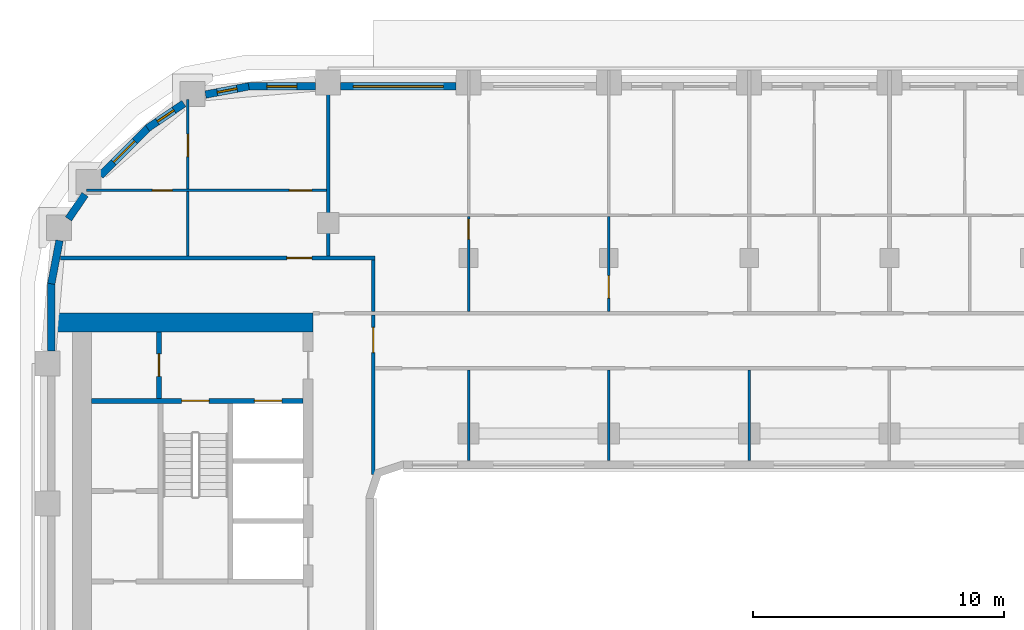
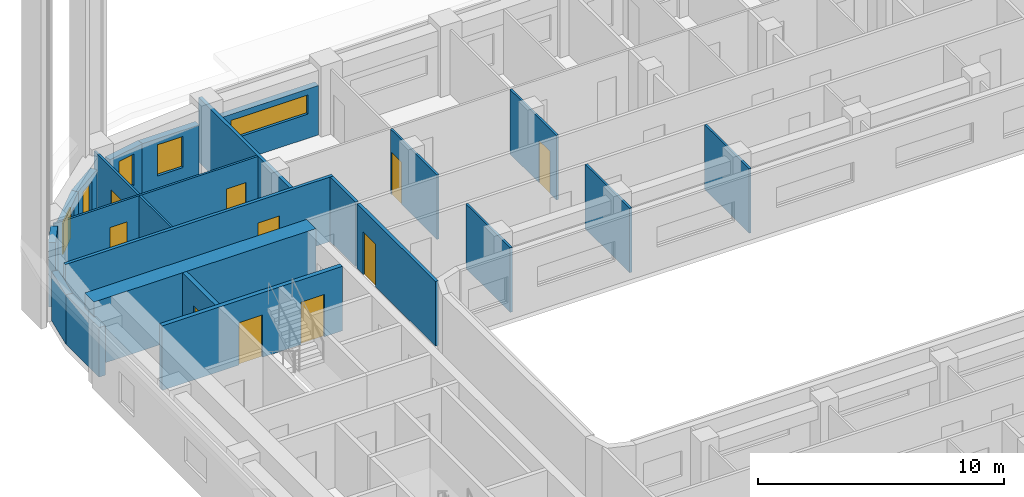
# One storey, part 7 of 22: 23 walls, 10 doors, 5 windows, 15 openings.
"""IFC4 building model written with IfcOpenShell, lengths in metres."""

from ifc_helpers import new_model, si_unit, direction, frame, frame_2d, origin, place, context, subcontext, project, spatial, rectangle, extrude, material, layer, layer_set, type_object, element, fill, save


model = new_model("IFC4")

# Units and contexts
model_context = context("Model", 3, precision=1e-05, world=origin(), true_north=direction((0.0, 1.0)))
body_context = subcontext(model_context, "Body", "Model", "MODEL_VIEW")
ifc_project = project(units=[si_unit("LENGTHUNIT", "METRE"), si_unit("AREAUNIT", "SQUARE_METRE"), si_unit("VOLUMEUNIT", "CUBIC_METRE"), si_unit("PLANEANGLEUNIT", "RADIAN"), si_unit("MASSUNIT", "GRAM", prefix="KILO")], contexts=[model_context])

# Site, building, storey
site_placement = place(None, origin())
site = spatial("IfcSite", under=ifc_project, at=site_placement, CompositionType="ELEMENT")
building_placement = place(site_placement, origin())
building = spatial("IfcBuilding", under=site, at=building_placement, Name="Kiln Ring Residences", CompositionType="ELEMENT")
storey_placement = place(building_placement, frame((0.0, 0.0, 160.60009765625)))
storey = spatial("IfcBuildingStorey", under=building, at=storey_placement, Name="L41", CompositionType="ELEMENT", Elevation=160.60009765625)

# Wall, opening, door
ifc_material_1 = material(Name="Gypsum board on steel studs", Category="steel")
ifc_layer_1 = layer(ifc_material_1, 0.199951171875)
ifc_layer_set_1 = layer_set([ifc_layer_1], Name="CORE-PARTITION-200")
wall_type_1 = type_object("IfcWallType", Name="CORE-PARTITION-200", PredefinedType="PARTITIONING", material=ifc_layer_set_1)
wall_1_placement = place(storey_placement, frame((-23.550048828125, 9.800048828125, 0.0), z_axis=(0.0, 0.0, 1.0), x_axis=(0.0, 1.0, 0.0)))
wall_1 = element("IfcWall", 1, at=wall_1_placement, inside=storey, type_object=wall_type_1, Name="Core partition west L41 4", PredefinedType="PARTITIONING", context=body_context, shape_type="SweptSolid", body=[
    extrude(rectangle(XDim=2.64990234375, YDim=0.199951171875, at=frame_2d((1.324951171875, 0.0))), origin(), (0.0, 0.0, 1.0), 3.199951171875),
])
opening_1_placement = place(wall_1_placement, frame((0.875, 0.0, 0.0)))
opening_1 = element("IfcOpeningElement", 2, at=opening_1_placement, cuts=wall_1, Name="Opening L41-CW09", PredefinedType="OPENING", context=body_context, shape_type="SweptSolid", body=[
    extrude(rectangle(XDim=0.89990234375, YDim=2.10009765625, at=frame_2d((0.449951171875, 1.050048828125))), frame((0.0, 0.10986328125, 0.0), z_axis=(0.0, -1.0, 0.0), x_axis=(1.0, 0.0, 0.0)), (0.0, 0.0, 1.0), 0.219970703125),
])
ifc_material_2 = material(Name="Steel door leaf", Category="steel")
door_type_1 = type_object("IfcDoorType", Name="CORE-DOOR-ROOM", OperationType="SINGLE_SWING_LEFT", PredefinedType="DOOR", material=ifc_material_2)
door_1_placement = place(opening_1_placement, origin())
door_1 = element("IfcDoor", 3, at=door_1_placement, inside=storey, type_object=door_type_1, Name="Fire riser room L41-CW09", OperationType="SINGLE_SWING_LEFT", OverallHeight=2.10009765625, OverallWidth=0.89990234375, PredefinedType="DOOR", context=body_context, shape_type="SweptSolid", body=[
    extrude(rectangle(XDim=0.89990234375, YDim=2.10009765625, at=frame_2d((0.449951171875, 1.050048828125))), frame((0.0, 0.02490234375, 0.0), z_axis=(0.0, -1.0, 0.0), x_axis=(1.0, 0.0, 0.0)), (0.0, 0.0, 1.0), 0.050048828125),
])
fill(opening_1, door_1)

# Wall, openings, doors
ifc_material_3 = material(Name="Concrete C40/50", Category="concrete")
ifc_layer_2 = layer(ifc_material_3, 0.199951171875)
ifc_layer_set_2 = layer_set([ifc_layer_2], Name="CORE-WALL-RC200")
wall_type_2 = type_object("IfcWallType", Name="CORE-WALL-RC200", PredefinedType="SHEAR", material=ifc_layer_set_2)
wall_2_placement = place(storey_placement, frame((-17.800048828125, 9.699951171875, 0.0), z_axis=(0.0, 0.0, 1.0), x_axis=(-1.0, 0.0, 0.0)))
wall_2 = element("IfcWall", 4, at=wall_2_placement, inside=storey, type_object=wall_type_2, Name="Core wall west L41 9", PredefinedType="SHEAR", context=body_context, shape_type="SweptSolid", body=[
    extrude(rectangle(XDim=8.449951171875, YDim=0.199951171875, at=frame_2d((4.22509765625, 0.0))), origin(), (0.0, 0.0, 1.0), 3.199951171875),
])
opening_2_placement = place(wall_2_placement, frame((0.85009765625, 0.0, 0.0)))
opening_2 = element("IfcOpeningElement", 5, at=opening_2_placement, cuts=wall_2, Name="Opening L41-CW06", PredefinedType="OPENING", context=body_context, shape_type="SweptSolid", body=[
    extrude(rectangle(XDim=1.10009765625, YDim=2.10009765625, at=frame_2d((0.550048828125, 1.050048828125))), frame((0.0, 0.10986328125, 0.0), z_axis=(0.0, -1.0, 0.0), x_axis=(1.0, 0.0, 0.0)), (0.0, 0.0, 1.0), 0.219970703125),
])
opening_3_placement = place(wall_2_placement, frame((3.75, 0.0, 0.0)))
opening_3 = element("IfcOpeningElement", 6, at=opening_3_placement, cuts=wall_2, Name="Opening L41-CW11", PredefinedType="OPENING", context=body_context, shape_type="SweptSolid", body=[
    extrude(rectangle(XDim=1.10009765625, YDim=2.10009765625, at=frame_2d((0.550048828125, 1.050048828125))), frame((0.0, 0.10986328125, 0.0), z_axis=(0.0, -1.0, 0.0), x_axis=(1.0, 0.0, 0.0)), (0.0, 0.0, 1.0), 0.219970703125),
])
ifc_material_4 = material(Name="Steel door leaf", Category="steel")
door_type_2 = type_object("IfcDoorType", Name="CORE-DOOR-LD", OperationType="DOUBLE_DOOR_SLIDING", PredefinedType="DOOR", material=ifc_material_4)
door_2_placement = place(opening_2_placement, origin())
door_2 = element("IfcDoor", 7, at=door_2_placement, inside=storey, type_object=door_type_2, Name="LD W-FF L41-CW06", OperationType="DOUBLE_DOOR_SLIDING", OverallHeight=2.10009765625, OverallWidth=1.10009765625, PredefinedType="DOOR", context=body_context, shape_type="SweptSolid", body=[
    extrude(rectangle(XDim=1.10009765625, YDim=2.10009765625, at=frame_2d((0.550048828125, 1.050048828125))), frame((0.0, 0.02490234375, 0.0), z_axis=(0.0, -1.0, 0.0), x_axis=(1.0, 0.0, 0.0)), (0.0, 0.0, 1.0), 0.050048828125),
])
fill(opening_2, door_2)
ifc_material_5 = material(Name="Steel door leaf", Category="steel")
door_type_3 = type_object("IfcDoorType", Name="CORE-DOOR-STAIR", OperationType="SINGLE_SWING_LEFT", PredefinedType="DOOR", material=ifc_material_5)
door_3_placement = place(opening_3_placement, origin())
door_3 = element("IfcDoor", 8, at=door_3_placement, inside=storey, type_object=door_type_3, Name="Stair W-STN L41-CW11", OperationType="SINGLE_SWING_LEFT", OverallHeight=2.10009765625, OverallWidth=1.10009765625, PredefinedType="DOOR", context=body_context, shape_type="SweptSolid", body=[
    extrude(rectangle(XDim=1.10009765625, YDim=2.10009765625, at=frame_2d((0.550048828125, 1.050048828125))), frame((0.0, 0.02490234375, 0.0), z_axis=(0.0, -1.0, 0.0), x_axis=(1.0, 0.0, 0.0)), (0.0, 0.0, 1.0), 0.050048828125),
])
fill(opening_3, door_3)

# Wall
ifc_material_6 = material(Name="Concrete C60/75", Category="concrete")
ifc_layer_3 = layer(ifc_material_6, 0.75)
ifc_layer_set_3 = layer_set([ifc_layer_3], Name="CORE-WALL-RC750")
wall_type_3 = type_object("IfcWallType", Name="CORE-WALL-RC750", PredefinedType="SHEAR", material=ifc_layer_set_3)
wall_3_placement = place(storey_placement, frame((-17.39990234375, 12.824951171875, 0.0), z_axis=(0.0, 0.0, 1.0), x_axis=(-1.0, 0.0, 0.0)))
element("IfcWall", 9, at=wall_3_placement, inside=storey, type_object=wall_type_3, Name="Core wall west L41 4", PredefinedType="SHEAR", context=body_context, shape_type="SweptSolid", body=[
    extrude(rectangle(XDim=10.400146484375, YDim=0.75, at=frame_2d((5.2001953125, 0.0))), origin(), (0.0, 0.0, 1.0), 3.199951171875),
])

# Wall, opening, window
ifc_material_7 = material(Name="Brick masonry, dark clay brick", Category="masonry")
ifc_layer_4 = layer(ifc_material_7, 0.300048828125)
ifc_layer_set_4 = layer_set([ifc_layer_4], Name="EW-300 BRICK WALL")
wall_type_4 = type_object("IfcWallType", Name="EW-300 BRICK WALL", PredefinedType="SOLIDWALL", material=ifc_layer_set_4)
wall_4_placement = place(storey_placement, frame((-11.699951171875, 22.25, 0.0), z_axis=(0.0, 0.0, 1.0), x_axis=(-1.0, 0.0, 0.0)))
wall_4 = element("IfcWall", 10, at=wall_4_placement, inside=storey, type_object=wall_type_4, Name="Facade wall L41 34", PredefinedType="SOLIDWALL", context=body_context, shape_type="SweptSolid", body=[
    extrude(rectangle(XDim=4.60009765625, YDim=0.300048828125, at=frame_2d((2.300048828125, 0.0))), origin(), (0.0, 0.0, 1.0), 2.449951171875),
])
opening_4_placement = place(wall_4_placement, frame((0.5, 0.0, 1.199951171875)))
opening_4 = element("IfcOpeningElement", 11, at=opening_4_placement, cuts=wall_4, Name="Opening W4", PredefinedType="OPENING", context=body_context, shape_type="SweptSolid", body=[
    extrude(rectangle(XDim=3.60009765625, YDim=0.949951171875, at=frame_2d((1.800048828125, 0.47509765625))), frame((0.0, 0.159912109375, 0.0), z_axis=(0.0, -1.0, 0.0), x_axis=(1.0, 0.0, 0.0)), (0.0, 0.0, 1.0), 0.320068359375),
])
ifc_material_8 = material(Name="Aluminium frame with double glazing", Category="aluminium")
window_type_1 = type_object("IfcWindowType", Name="WINDOW 3600 x 950", PartitioningType="SINGLE_PANEL", PredefinedType="WINDOW", material=ifc_material_8)
window_1_placement = place(opening_4_placement, origin())
window_1 = element("IfcWindow", 12, at=window_1_placement, inside=storey, type_object=window_type_1, Name="Window L41 27", OverallHeight=0.949951171875, OverallWidth=3.60009765625, PartitioningType="SINGLE_PANEL", PredefinedType="WINDOW", context=body_context, shape_type="SweptSolid", body=[
    extrude(rectangle(XDim=3.60009765625, YDim=0.949951171875, at=frame_2d((1.800048828125, 0.47509765625))), frame((0.0, 0.030029296875, 0.0), z_axis=(0.0, -1.0, 0.0), x_axis=(1.0, 0.0, 0.0)), (0.0, 0.0, 1.0), 0.06005859375),
])
fill(opening_4, window_1)

wall_5_placement = place(storey_placement, frame((-17.300048828125, 22.25, 0.0), z_axis=(0.0, 0.0, 1.0), x_axis=(-1.0, 0.0, 0.0)))
wall_5 = element("IfcWall", 13, at=wall_5_placement, inside=storey, type_object=wall_type_4, Name="Facade wall L41 35", PredefinedType="SOLIDWALL", context=body_context, shape_type="SweptSolid", body=[
    extrude(rectangle(XDim=2.699951171875, YDim=0.300048828125, at=frame_2d((1.35009765625, 0.0))), origin(), (0.0, 0.0, 1.0), 2.449951171875),
])
opening_5_placement = place(wall_5_placement, frame((0.75, 0.0, 0.60009765625)))
opening_5 = element("IfcOpeningElement", 14, at=opening_5_placement, cuts=wall_5, Name="Opening W1", PredefinedType="OPENING", context=body_context, shape_type="SweptSolid", body=[
    extrude(rectangle(XDim=1.199951171875, YDim=1.550048828125, at=frame_2d((0.60009765625, 0.77490234375))), frame((0.0, 0.159912109375, 0.0), z_axis=(0.0, -1.0, 0.0), x_axis=(1.0, 0.0, 0.0)), (0.0, 0.0, 1.0), 0.320068359375),
])
ifc_material_9 = material(Name="Aluminium frame with double glazing", Category="aluminium")
window_type_2 = type_object("IfcWindowType", Name="WINDOW 1200 x 1550", PartitioningType="SINGLE_PANEL", PredefinedType="WINDOW", material=ifc_material_9)
window_2_placement = place(opening_5_placement, origin())
window_2 = element("IfcWindow", 15, at=window_2_placement, inside=storey, type_object=window_type_2, Name="Window L41 28", OverallHeight=1.550048828125, OverallWidth=1.199951171875, PartitioningType="SINGLE_PANEL", PredefinedType="WINDOW", context=body_context, shape_type="SweptSolid", body=[
    extrude(rectangle(XDim=1.199951171875, YDim=1.550048828125, at=frame_2d((0.60009765625, 0.77490234375))), frame((0.0, 0.030029296875, 0.0), z_axis=(0.0, -1.0, 0.0), x_axis=(1.0, 0.0, 0.0)), (0.0, 0.0, 1.0), 0.06005859375),
])
fill(opening_5, window_2)

wall_6_placement = place(storey_placement, frame((-19.971923828125, 22.252685546875, 0.0), z_axis=(0.0, 0.0, 1.0), x_axis=(-0.982284988433, -0.187393173565, 0.0)))
wall_6 = element("IfcWall", 16, at=wall_6_placement, inside=storey, type_object=wall_type_4, Name="Facade wall L41 36", PredefinedType="SOLIDWALL", context=body_context, shape_type="SweptSolid", body=[
    extrude(rectangle(XDim=1.756103515625, YDim=0.300048828125, at=frame_2d((0.8779296875, 0.0))), origin(), (0.0, 0.0, 1.0), 2.449951171875),
])
opening_6_placement = place(wall_6_placement, frame((0.47802734375, 0.0, 0.60009765625)))
opening_6 = element("IfcOpeningElement", 17, at=opening_6_placement, cuts=wall_6, Name="Opening W5", PredefinedType="OPENING", context=body_context, shape_type="SweptSolid", body=[
    extrude(rectangle(XDim=0.800048828125, YDim=1.550048828125, at=frame_2d((0.39990234375, 0.77490234375))), frame((0.0, 0.159912109375, 0.0), z_axis=(0.0, -1.0, 0.0), x_axis=(1.0, 0.0, 0.0)), (0.0, 0.0, 1.0), 0.320068359375),
])
ifc_material_10 = material(Name="Aluminium frame with double glazing", Category="aluminium")
window_type_3 = type_object("IfcWindowType", Name="WINDOW 800 x 1550", PartitioningType="SINGLE_PANEL", PredefinedType="WINDOW", material=ifc_material_10)
window_3_placement = place(opening_6_placement, origin())
window_3 = element("IfcWindow", 18, at=window_3_placement, inside=storey, type_object=window_type_3, Name="Window L41 29", OverallHeight=1.550048828125, OverallWidth=0.800048828125, PartitioningType="SINGLE_PANEL", PredefinedType="WINDOW", context=body_context, shape_type="SweptSolid", body=[
    extrude(rectangle(XDim=0.800048828125, YDim=1.550048828125, at=frame_2d((0.39990234375, 0.77490234375))), frame((0.0, 0.030029296875, 0.0), z_axis=(0.0, -1.0, 0.0), x_axis=(1.0, 0.0, 0.0)), (0.0, 0.0, 1.0), 0.06005859375),
])
fill(opening_6, window_3)

wall_7_placement = place(storey_placement, frame((-22.560302734375, 21.56591796875, 0.0), z_axis=(0.0, 0.0, 1.0), x_axis=(-0.82707645233, -0.562089443061, 0.0)))
wall_7 = element("IfcWall", 19, at=wall_7_placement, inside=storey, type_object=wall_type_4, Name="Facade wall L41 37", PredefinedType="SOLIDWALL", context=body_context, shape_type="SweptSolid", body=[
    extrude(rectangle(XDim=1.756103515625, YDim=0.300048828125, at=frame_2d((0.8779296875, 0.0))), origin(), (0.0, 0.0, 1.0), 2.449951171875),
])
opening_7_placement = place(wall_7_placement, frame((0.47802734375, 0.0, 0.60009765625)))
opening_7 = element("IfcOpeningElement", 20, at=opening_7_placement, cuts=wall_7, Name="Opening W5", PredefinedType="OPENING", context=body_context, shape_type="SweptSolid", body=[
    extrude(rectangle(XDim=0.800048828125, YDim=1.550048828125, at=frame_2d((0.39990234375, 0.77490234375))), frame((0.0, 0.159912109375, 0.0), z_axis=(0.0, -1.0, 0.0), x_axis=(1.0, 0.0, 0.0)), (0.0, 0.0, 1.0), 0.320068359375),
])
window_4_placement = place(opening_7_placement, origin())
window_4 = element("IfcWindow", 21, at=window_4_placement, inside=storey, type_object=window_type_3, Name="Window L41 30", OverallHeight=1.550048828125, OverallWidth=0.800048828125, PartitioningType="SINGLE_PANEL", PredefinedType="WINDOW", context=body_context, shape_type="SweptSolid", body=[
    extrude(rectangle(XDim=0.800048828125, YDim=1.550048828125, at=frame_2d((0.39990234375, 0.77490234375))), frame((0.0, 0.030029296875, 0.0), z_axis=(0.0, -1.0, 0.0), x_axis=(1.0, 0.0, 0.0)), (0.0, 0.0, 1.0), 0.06005859375),
])
fill(opening_7, window_4)

wall_8_placement = place(storey_placement, frame((-23.990966796875, 20.596923828125, 0.0), z_axis=(0.0, 0.0, 1.0), x_axis=(-0.707106781187, -0.707106781187, 0.0)))
wall_8 = element("IfcWall", 22, at=wall_8_placement, inside=storey, type_object=wall_type_4, Name="Facade wall L41 38", PredefinedType="SOLIDWALL", context=body_context, shape_type="SweptSolid", body=[
    extrude(rectangle(XDim=2.699951171875, YDim=0.300048828125, at=frame_2d((1.35009765625, 0.0))), origin(), (0.0, 0.0, 1.0), 2.449951171875),
])
opening_8_placement = place(wall_8_placement, frame((0.75, 0.0, 0.60009765625)))
opening_8 = element("IfcOpeningElement", 23, at=opening_8_placement, cuts=wall_8, Name="Opening W1", PredefinedType="OPENING", context=body_context, shape_type="SweptSolid", body=[
    extrude(rectangle(XDim=1.199951171875, YDim=1.550048828125, at=frame_2d((0.60009765625, 0.77490234375))), frame((0.0, 0.159912109375, 0.0), z_axis=(0.0, -1.0, 0.0), x_axis=(1.0, 0.0, 0.0)), (0.0, 0.0, 1.0), 0.320068359375),
])
window_5_placement = place(opening_8_placement, origin())
window_5 = element("IfcWindow", 24, at=window_5_placement, inside=storey, type_object=window_type_2, Name="Window L41 31", OverallHeight=1.550048828125, OverallWidth=1.199951171875, PartitioningType="SINGLE_PANEL", PredefinedType="WINDOW", context=body_context, shape_type="SweptSolid", body=[
    extrude(rectangle(XDim=1.199951171875, YDim=1.550048828125, at=frame_2d((0.60009765625, 0.77490234375))), frame((0.0, 0.030029296875, 0.0), z_axis=(0.0, -1.0, 0.0), x_axis=(1.0, 0.0, 0.0)), (0.0, 0.0, 1.0), 0.06005859375),
])
fill(opening_8, window_5)

# Walls
wall_9_placement = place(storey_placement, frame((-26.50439453125, 17.933837890625, 0.0), z_axis=(0.0, 0.0, 1.0), x_axis=(-0.562145470373, -0.827038372833, 0.0)))
element("IfcWall", 25, at=wall_9_placement, inside=storey, type_object=wall_type_4, Name="Facade wall L41 39", PredefinedType="SOLIDWALL", context=body_context, shape_type="SweptSolid", body=[
    extrude(rectangle(XDim=1.177001953125, YDim=0.300048828125, at=frame_2d((0.58837890625, 0.0))), origin(), (0.0, 0.0, 1.0), 3.199951171875),
])
wall_10_placement = place(storey_placement, frame((-27.523681640625, 16.096923828125, 0.0), z_axis=(0.0, 0.0, 1.0), x_axis=(-0.187259034321, -0.982310569049, 0.0)))
element("IfcWall", 26, at=wall_10_placement, inside=storey, type_object=wall_type_4, Name="Facade wall L41 40", PredefinedType="SOLIDWALL", context=body_context, shape_type="SweptSolid", body=[
    extrude(rectangle(XDim=1.756103515625, YDim=0.300048828125, at=frame_2d((0.8779296875, 0.0))), origin(), (0.0, 0.0, 1.0), 2.449951171875),
])
wall_11_placement = place(storey_placement, frame((-27.85009765625, 14.39990234375, 0.0), z_axis=(0.0, 0.0, 1.0), x_axis=(0.0, -1.0, 0.0)))
element("IfcWall", 27, at=wall_11_placement, inside=storey, type_object=wall_type_4, Name="Facade wall L41 41", PredefinedType="SOLIDWALL", context=body_context, shape_type="SweptSolid", body=[
    extrude(rectangle(XDim=2.699951171875, YDim=0.300048828125, at=frame_2d((1.35009765625, 0.0))), origin(), (0.0, 0.0, 1.0), 2.449951171875),
])

# Wall, openings, doors
ifc_material_11 = material(Name="Gypsum board on steel studs", Category="steel")
ifc_layer_5 = layer(ifc_material_11, 0.10009765625)
ifc_layer_set_5 = layer_set([ifc_layer_5], Name="PARTITION-100")
wall_type_5 = type_object("IfcWallType", Name="PARTITION-100", PredefinedType="PARTITIONING", material=ifc_layer_set_5)
wall_12_placement = place(storey_placement, frame((-26.43994140625, 18.10009765625, 0.0), z_axis=(0.0, 0.0, 1.0), x_axis=(1.0, 0.0, 0.0)))
wall_12 = element("IfcWall", 28, at=wall_12_placement, inside=storey, type_object=wall_type_5, Name="Partition 012", PredefinedType="PARTITIONING", context=body_context, shape_type="SweptSolid", body=[
    extrude(rectangle(XDim=9.56494140625, YDim=0.10009765625, at=frame_2d((4.782470703125, 0.0))), origin(), (0.0, 0.0, 1.0), 3.199951171875),
])
opening_9_placement = place(wall_12_placement, frame((2.6259765625, 0.0, 0.0)))
opening_9 = element("IfcOpeningElement", 29, at=opening_9_placement, cuts=wall_12, Name="Opening L41-D038", PredefinedType="OPENING", context=body_context, shape_type="SweptSolid", body=[
    extrude(rectangle(XDim=0.800048828125, YDim=2.10009765625, at=frame_2d((0.39990234375, 1.050048828125))), frame((0.0, 0.06005859375, 0.0), z_axis=(0.0, -1.0, 0.0), x_axis=(1.0, 0.0, 0.0)), (0.0, 0.0, 1.0), 0.1201171875),
])
opening_10_placement = place(wall_12_placement, frame((8.090087890625, 0.0, 0.0)))
opening_10 = element("IfcOpeningElement", 30, at=opening_10_placement, cuts=wall_12, Name="Opening L41-D039", PredefinedType="OPENING", context=body_context, shape_type="SweptSolid", body=[
    extrude(rectangle(XDim=0.89990234375, YDim=2.10009765625, at=frame_2d((0.449951171875, 1.050048828125))), frame((0.0, 0.06005859375, 0.0), z_axis=(0.0, -1.0, 0.0), x_axis=(1.0, 0.0, 0.0)), (0.0, 0.0, 1.0), 0.1201171875),
])
ifc_material_12 = material(Name="Timber door leaf", Category="wood")
door_type_4 = type_object("IfcDoorType", Name="FLAT-DOOR-800-PL", OperationType="SINGLE_SWING_LEFT", PredefinedType="DOOR", material=ifc_material_12)
door_4_placement = place(opening_9_placement, origin())
door_4 = element("IfcDoor", 31, at=door_4_placement, inside=storey, type_object=door_type_4, Name="Door L41-D038", OperationType="SINGLE_SWING_RIGHT", OverallHeight=2.10009765625, OverallWidth=0.800048828125, PredefinedType="DOOR", context=body_context, shape_type="SweptSolid", body=[
    extrude(rectangle(XDim=0.800048828125, YDim=2.10009765625, at=frame_2d((0.39990234375, 1.050048828125))), frame((0.0, 0.02490234375, 0.0), z_axis=(0.0, -1.0, 0.0), x_axis=(1.0, 0.0, 0.0)), (0.0, 0.0, 1.0), 0.050048828125),
])
fill(opening_9, door_4)
ifc_material_13 = material(Name="Timber door leaf", Category="wood")
door_type_5 = type_object("IfcDoorType", Name="FLAT-DOOR-900-PL", OperationType="SINGLE_SWING_LEFT", PredefinedType="DOOR", material=ifc_material_13)
door_5_placement = place(opening_10_placement, origin())
door_5 = element("IfcDoor", 32, at=door_5_placement, inside=storey, type_object=door_type_5, Name="Door L41-D039", OperationType="SINGLE_SWING_LEFT", OverallHeight=2.10009765625, OverallWidth=0.89990234375, PredefinedType="DOOR", context=body_context, shape_type="SweptSolid", body=[
    extrude(rectangle(XDim=0.89990234375, YDim=2.10009765625, at=frame_2d((0.449951171875, 1.050048828125))), frame((0.0, 0.02490234375, 0.0), z_axis=(0.0, -1.0, 0.0), x_axis=(1.0, 0.0, 0.0)), (0.0, 0.0, 1.0), 0.050048828125),
])
fill(opening_10, door_5)

# Wall
wall_13_placement = place(storey_placement, frame((-22.39990234375, 15.47509765625, 0.0), z_axis=(0.0, 0.0, 1.0), x_axis=(0.0, 1.0, 0.0)))
element("IfcWall", 33, at=wall_13_placement, inside=storey, type_object=wall_type_5, Name="Partition 016", PredefinedType="PARTITIONING", context=body_context, shape_type="SweptSolid", body=[
    extrude(rectangle(XDim=2.574951171875, YDim=0.10009765625, at=frame_2d((1.28759765625, 0.0))), origin(), (0.0, 0.0, 1.0), 3.199951171875),
])

# Wall, opening, door
wall_14_placement = place(storey_placement, frame((-22.39990234375, 18.14990234375, 0.0), z_axis=(0.0, 0.0, 1.0), x_axis=(0.0, 1.0, 0.0)))
wall_14 = element("IfcWall", 34, at=wall_14_placement, inside=storey, type_object=wall_type_5, Name="Partition 017", PredefinedType="PARTITIONING", context=body_context, shape_type="SweptSolid", body=[
    extrude(rectangle(XDim=3.570068359375, YDim=0.10009765625, at=frame_2d((1.78515625, 0.0))), origin(), (0.0, 0.0, 1.0), 3.199951171875),
])
opening_11_placement = place(wall_14_placement, frame((1.298095703125, 0.0, 0.0)))
opening_11 = element("IfcOpeningElement", 35, at=opening_11_placement, cuts=wall_14, Name="Opening L41-D040", PredefinedType="OPENING", context=body_context, shape_type="SweptSolid", body=[
    extrude(rectangle(XDim=0.89990234375, YDim=2.10009765625, at=frame_2d((0.449951171875, 1.050048828125))), frame((0.0, 0.06005859375, 0.0), z_axis=(0.0, -1.0, 0.0), x_axis=(1.0, 0.0, 0.0)), (0.0, 0.0, 1.0), 0.1201171875),
])
door_6_placement = place(opening_11_placement, origin())
door_6 = element("IfcDoor", 36, at=door_6_placement, inside=storey, type_object=door_type_5, Name="Door L41-D040", OperationType="SINGLE_SWING_RIGHT", OverallHeight=2.10009765625, OverallWidth=0.89990234375, PredefinedType="DOOR", context=body_context, shape_type="SweptSolid", body=[
    extrude(rectangle(XDim=0.89990234375, YDim=2.10009765625, at=frame_2d((0.449951171875, 1.050048828125))), frame((0.0, 0.02490234375, 0.0), z_axis=(0.0, -1.0, 0.0), x_axis=(1.0, 0.0, 0.0)), (0.0, 0.0, 1.0), 0.050048828125),
])
fill(opening_11, door_6)

# Wall
wall_15_placement = place(storey_placement, frame((-11.199951171875, 7.320068359375, 0.0), z_axis=(0.0, 0.0, 1.0), x_axis=(0.0, 1.0, 0.0)))
element("IfcWall", 37, at=wall_15_placement, inside=storey, type_object=wall_type_5, Name="Partition 027", PredefinedType="PARTITIONING", context=body_context, shape_type="SweptSolid", body=[
    extrude(rectangle(XDim=3.60498046875, YDim=0.10009765625, at=frame_2d((1.802490234375, 0.0))), origin(), (0.0, 0.0, 1.0), 3.199951171875),
])

# Wall, opening, door
wall_16_placement = place(storey_placement, frame((-11.199951171875, 13.27490234375, 0.0), z_axis=(0.0, 0.0, 1.0), x_axis=(0.0, 1.0, 0.0)))
wall_16 = element("IfcWall", 38, at=wall_16_placement, inside=storey, type_object=wall_type_5, Name="Partition 028", PredefinedType="PARTITIONING", context=body_context, shape_type="SweptSolid", body=[
    extrude(rectangle(XDim=3.775146484375, YDim=0.10009765625, at=frame_2d((1.8876953125, 0.0))), origin(), (0.0, 0.0, 1.0), 3.199951171875),
])
opening_12_placement = place(wall_16_placement, frame((2.875, 0.0, 0.0)))
opening_12 = element("IfcOpeningElement", 39, at=opening_12_placement, cuts=wall_16, Name="Opening L41-D017", PredefinedType="OPENING", context=body_context, shape_type="SweptSolid", body=[
    extrude(rectangle(XDim=0.800048828125, YDim=2.10009765625, at=frame_2d((0.39990234375, 1.050048828125))), frame((0.0, 0.06005859375, 0.0), z_axis=(0.0, -1.0, 0.0), x_axis=(1.0, 0.0, 0.0)), (0.0, 0.0, 1.0), 0.1201171875),
])
door_7_placement = place(opening_12_placement, origin())
door_7 = element("IfcDoor", 40, at=door_7_placement, inside=storey, type_object=door_type_4, Name="Door L41-D017", OperationType="SINGLE_SWING_LEFT", OverallHeight=2.10009765625, OverallWidth=0.800048828125, PredefinedType="DOOR", context=body_context, shape_type="SweptSolid", body=[
    extrude(rectangle(XDim=0.800048828125, YDim=2.10009765625, at=frame_2d((0.39990234375, 1.050048828125))), frame((0.0, 0.02490234375, 0.0), z_axis=(0.0, -1.0, 0.0), x_axis=(1.0, 0.0, 0.0)), (0.0, 0.0, 1.0), 0.050048828125),
])
fill(opening_12, door_7)

# Wall
wall_17_placement = place(storey_placement, frame((-5.60009765625, 7.320068359375, 0.0), z_axis=(0.0, 0.0, 1.0), x_axis=(0.0, 1.0, 0.0)))
element("IfcWall", 41, at=wall_17_placement, inside=storey, type_object=wall_type_5, Name="Partition 034", PredefinedType="PARTITIONING", context=body_context, shape_type="SweptSolid", body=[
    extrude(rectangle(XDim=3.60498046875, YDim=0.10009765625, at=frame_2d((1.802490234375, 0.0))), origin(), (0.0, 0.0, 1.0), 3.199951171875),
])

# Wall, opening, door
wall_18_placement = place(storey_placement, frame((-5.60009765625, 13.27490234375, 0.0), z_axis=(0.0, 0.0, 1.0), x_axis=(0.0, 1.0, 0.0)))
wall_18 = element("IfcWall", 42, at=wall_18_placement, inside=storey, type_object=wall_type_5, Name="Partition 035", PredefinedType="PARTITIONING", context=body_context, shape_type="SweptSolid", body=[
    extrude(rectangle(XDim=3.775146484375, YDim=0.10009765625, at=frame_2d((1.8876953125, 0.0))), origin(), (0.0, 0.0, 1.0), 3.199951171875),
])
opening_13_placement = place(wall_18_placement, frame((0.52490234375, 0.0, 0.0)))
opening_13 = element("IfcOpeningElement", 43, at=opening_13_placement, cuts=wall_18, Name="Opening L41-D016", PredefinedType="OPENING", context=body_context, shape_type="SweptSolid", body=[
    extrude(rectangle(XDim=0.89990234375, YDim=2.10009765625, at=frame_2d((0.449951171875, 1.050048828125))), frame((0.0, 0.06005859375, 0.0), z_axis=(0.0, -1.0, 0.0), x_axis=(1.0, 0.0, 0.0)), (0.0, 0.0, 1.0), 0.1201171875),
])
door_8_placement = place(opening_13_placement, origin())
door_8 = element("IfcDoor", 44, at=door_8_placement, inside=storey, type_object=door_type_5, Name="Door L41-D016", OperationType="SINGLE_SWING_RIGHT", OverallHeight=2.10009765625, OverallWidth=0.89990234375, PredefinedType="DOOR", context=body_context, shape_type="SweptSolid", body=[
    extrude(rectangle(XDim=0.89990234375, YDim=2.10009765625, at=frame_2d((0.449951171875, 1.050048828125))), frame((0.0, 0.02490234375, 0.0), z_axis=(0.0, -1.0, 0.0), x_axis=(1.0, 0.0, 0.0)), (0.0, 0.0, 1.0), 0.050048828125),
])
fill(opening_13, door_8)

# Wall
wall_19_placement = place(storey_placement, frame((0.0, 7.320068359375, 0.0), z_axis=(0.0, 0.0, 1.0), x_axis=(0.0, 1.0, 0.0)))
element("IfcWall", 45, at=wall_19_placement, inside=storey, type_object=wall_type_5, Name="Partition 042", PredefinedType="PARTITIONING", context=body_context, shape_type="SweptSolid", body=[
    extrude(rectangle(XDim=3.60498046875, YDim=0.10009765625, at=frame_2d((1.802490234375, 0.0))), origin(), (0.0, 0.0, 1.0), 3.199951171875),
])

# Wall, opening, door
ifc_material_14 = material(Name="Brick masonry partition", Category="masonry")
ifc_layer_6 = layer(ifc_material_14, 0.14990234375)
ifc_layer_set_6 = layer_set([ifc_layer_6], Name="PARTITION-150-ei60")
wall_type_6 = type_object("IfcWallType", Name="PARTITION-150-ei60", PredefinedType="PARTITIONING", material=ifc_layer_set_6)
wall_20_placement = place(storey_placement, frame((-27.48388671875, 15.39990234375, 0.0), z_axis=(0.0, 0.0, 1.0), x_axis=(1.0, 0.0, 0.0)))
wall_20 = element("IfcWall", 46, at=wall_20_placement, inside=storey, type_object=wall_type_6, Name="Partition 009", PredefinedType="PARTITIONING", context=body_context, shape_type="SweptSolid", body=[
    extrude(rectangle(XDim=12.558837890625, YDim=0.14990234375, at=frame_2d((6.279296875, 0.0))), origin(), (0.0, 0.0, 1.0), 3.199951171875),
])
opening_14_placement = place(wall_20_placement, frame((9.03369140625, 0.0, 0.0)))
opening_14 = element("IfcOpeningElement", 47, at=opening_14_placement, cuts=wall_20, Name="Opening L41-D037", PredefinedType="OPENING", context=body_context, shape_type="SweptSolid", body=[
    extrude(rectangle(XDim=1.0, YDim=2.10009765625, at=frame_2d((0.5, 1.050048828125))), frame((0.0, 0.0849609375, 0.0), z_axis=(0.0, -1.0, 0.0), x_axis=(1.0, 0.0, 0.0)), (0.0, 0.0, 1.0), 0.169921875),
])
ifc_material_15 = material(Name="Steel faced fire door leaf", Category="steel")
door_type_6 = type_object("IfcDoorType", Name="FLAT-DOOR-1000-FR", OperationType="SINGLE_SWING_LEFT", PredefinedType="DOOR", material=ifc_material_15)
door_9_placement = place(opening_14_placement, origin())
door_9 = element("IfcDoor", 48, at=door_9_placement, inside=storey, type_object=door_type_6, Name="Door L41-D037", OperationType="SINGLE_SWING_LEFT", OverallHeight=2.10009765625, OverallWidth=1.0, PredefinedType="DOOR", context=body_context, shape_type="SweptSolid", body=[
    extrude(rectangle(XDim=1.0, YDim=2.10009765625, at=frame_2d((0.5, 1.050048828125))), frame((0.0, 0.02490234375, 0.0), z_axis=(0.0, -1.0, 0.0), x_axis=(1.0, 0.0, 0.0)), (0.0, 0.0, 1.0), 0.050048828125),
])
fill(opening_14, door_9)

# Wall
wall_21_placement = place(storey_placement, frame((-16.800048828125, 15.47509765625, 0.0), z_axis=(0.0, 0.0, 1.0), x_axis=(0.0, 1.0, 0.0)))
element("IfcWall", 49, at=wall_21_placement, inside=storey, type_object=wall_type_6, Name="Partition 019", PredefinedType="PARTITIONING", context=body_context, shape_type="SweptSolid", body=[
    extrude(rectangle(XDim=7.40478515625, YDim=0.14990234375, at=frame_2d((3.702392578125, 0.0))), origin(), (0.0, 0.0, 1.0), 3.199951171875),
])

# Wall, opening, door
wall_22_placement = place(storey_placement, frame((-15.0, 6.768798828125, 0.0), z_axis=(0.0, 0.0, 1.0), x_axis=(0.0, 1.0, 0.0)))
wall_22 = element("IfcWall", 50, at=wall_22_placement, inside=storey, type_object=wall_type_6, Name="Partition 022", PredefinedType="PARTITIONING", context=body_context, shape_type="SweptSolid", body=[
    extrude(rectangle(XDim=6.356201171875, YDim=0.14990234375, at=frame_2d((3.17822265625, 0.0))), origin(), (0.0, 0.0, 1.0), 3.199951171875),
])
opening_15_placement = place(wall_22_placement, frame((4.860107421875, 0.0, 0.0)))
opening_15 = element("IfcOpeningElement", 51, at=opening_15_placement, cuts=wall_22, Name="Opening L41-D001", PredefinedType="OPENING", context=body_context, shape_type="SweptSolid", body=[
    extrude(rectangle(XDim=1.0, YDim=2.10009765625, at=frame_2d((0.5, 1.050048828125))), frame((0.0, 0.0849609375, 0.0), z_axis=(0.0, -1.0, 0.0), x_axis=(1.0, 0.0, 0.0)), (0.0, 0.0, 1.0), 0.169921875),
])
door_10_placement = place(opening_15_placement, origin())
door_10 = element("IfcDoor", 52, at=door_10_placement, inside=storey, type_object=door_type_6, Name="Door L41-D001", OperationType="SINGLE_SWING_RIGHT", OverallHeight=2.10009765625, OverallWidth=1.0, PredefinedType="DOOR", context=body_context, shape_type="SweptSolid", body=[
    extrude(rectangle(XDim=1.0, YDim=2.10009765625, at=frame_2d((0.5, 1.050048828125))), frame((0.0, 0.02490234375, 0.0), z_axis=(0.0, -1.0, 0.0), x_axis=(1.0, 0.0, 0.0)), (0.0, 0.0, 1.0), 0.050048828125),
])
fill(opening_15, door_10)

# Wall
wall_23_placement = place(storey_placement, frame((-15.0, 13.27490234375, 0.0), z_axis=(0.0, 0.0, 1.0), x_axis=(0.0, 1.0, 0.0)))
element("IfcWall", 53, at=wall_23_placement, inside=storey, type_object=wall_type_6, Name="Partition 023", PredefinedType="PARTITIONING", context=body_context, shape_type="SweptSolid", body=[
    extrude(rectangle(XDim=2.050048828125, YDim=0.14990234375, at=frame_2d((1.02490234375, 0.0))), origin(), (0.0, 0.0, 1.0), 3.199951171875),
])

save(model, "model.ifc")
